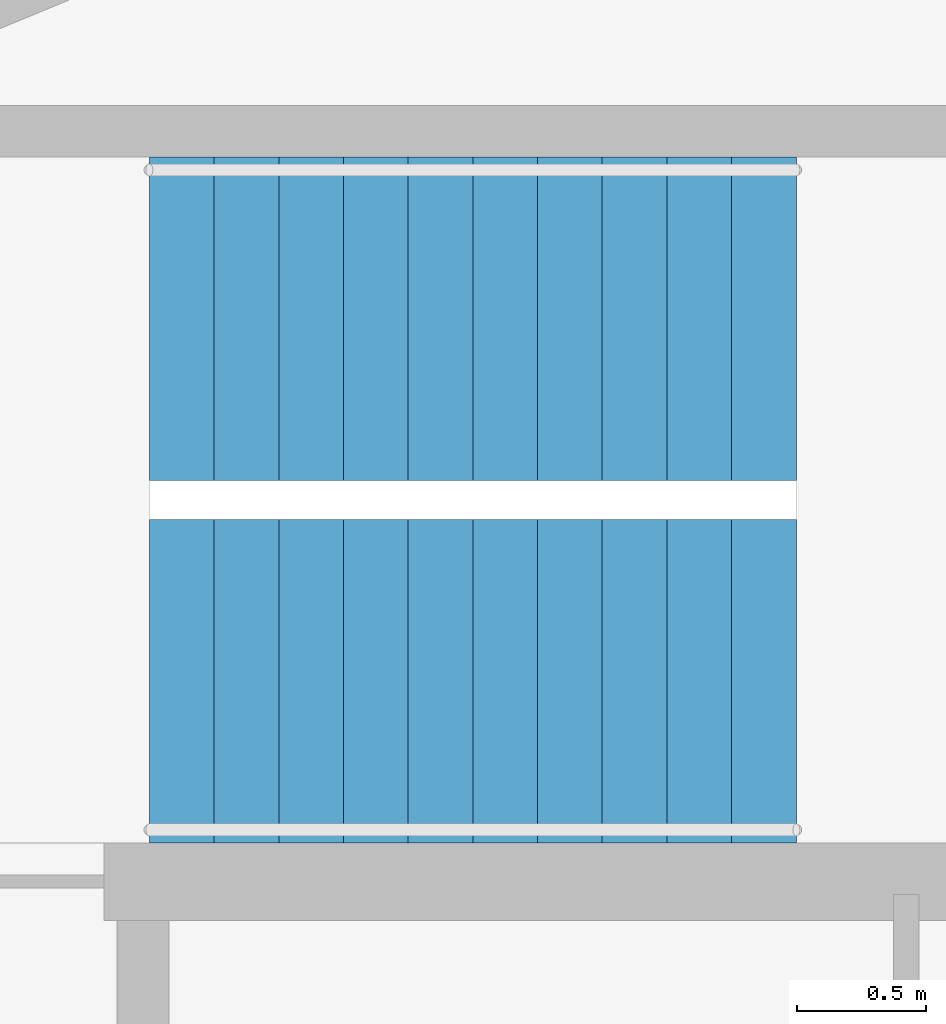
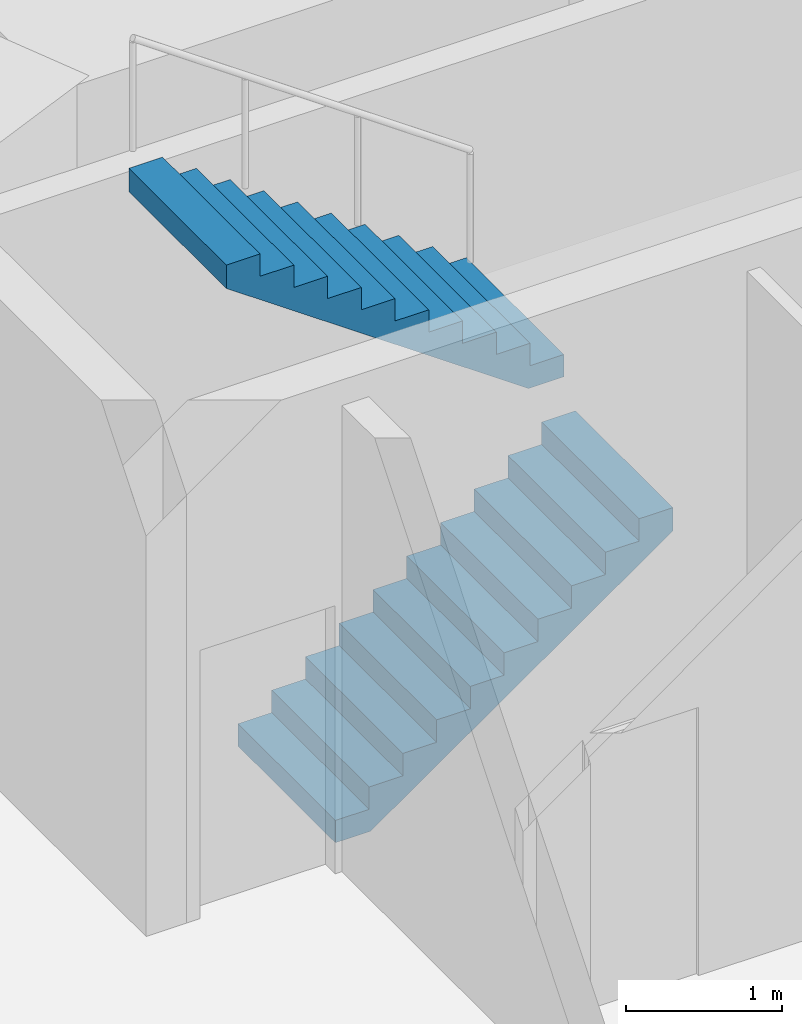
# One storey, part 13 of 15: 2 stair flights, 1 element without a shape of its own.
"""IFC4 building model written with IfcOpenShell, lengths in metres."""

from ifc_helpers import new_model, si_unit, direction, frame, origin, place, context, subcontext, project, spatial, polyline, outline, extrude, material, type_object, element, aggregate, save


model = new_model("IFC4")

# Units and contexts
model_context = context("Model", 3, precision=1e-05, world=origin(), true_north=direction((0.0, 1.0)))
body_context = subcontext(model_context, "Body", "Model", "MODEL_VIEW")
ifc_project = project(units=[si_unit("LENGTHUNIT", "METRE"), si_unit("AREAUNIT", "SQUARE_METRE"), si_unit("VOLUMEUNIT", "CUBIC_METRE"), si_unit("PLANEANGLEUNIT", "RADIAN"), si_unit("MASSUNIT", "GRAM", prefix="KILO")], contexts=[model_context])

# Site, building, storey
site_placement = place(None, origin())
site = spatial("IfcSite", under=ifc_project, at=site_placement, CompositionType="ELEMENT")
building_placement = place(site_placement, origin())
building = spatial("IfcBuilding", under=site, at=building_placement, Name="Nakasero Lantern House", CompositionType="ELEMENT")
storey_placement = place(building_placement, frame((0.0, 0.0, 72.050048828125)))
storey = spatial("IfcBuildingStorey", under=building, at=storey_placement, Name="L17", CompositionType="ELEMENT", Elevation=72.050048828125)

# Stair, stair flights
ifc_material_1 = material(Name="Concrete C40/50", Category="concrete")
stair_type = type_object("IfcStairType", Name="Escape stair ST1 22 risers", PredefinedType="HALF_TURN_STAIR", material=ifc_material_1)
stair_placement = place(storey_placement, origin())
stair = element("IfcStair", 1, at=stair_placement, inside=storey, type_object=stair_type, Name="Escape stair ST1 L17", PredefinedType="HALF_TURN_STAIR")
ifc_material_2 = material(Name="Concrete C40/50", Category="concrete")
stair_flight_type = type_object("IfcStairFlightType", Name="Escape stair flight", PredefinedType="STRAIGHT", material=ifc_material_2)
stair_flight_1_placement = place(storey_placement, frame((-1.875, 6.375, 0.0), z_axis=(0.0, 0.0, 1.0), x_axis=(1.0, 0.0, 0.0)))
stair_flight_1 = element("IfcStairFlight", 2, at=stair_flight_1_placement, type_object=stair_flight_type, Name="ST1 flight 1", NumberOfRisers=11, NumberOfTreads=10, PredefinedType="STRAIGHT", RiserHeight=0.175, TreadLength=0.25, context=body_context, shape_type="SweptSolid", body=[
    extrude(outline(polyline([(0.0, 0.0), (0.0, 0.175048828125), (0.25, 0.175048828125), (0.25, 0.35009765625), (0.5, 0.35009765625), (0.5, 0.52490234375), (0.75, 0.52490234375), (0.75, 0.699951171875), (1.0, 0.699951171875), (1.0, 0.875), (1.25, 0.875), (1.25, 1.050048828125), (1.5, 1.050048828125), (1.5, 1.22509765625), (1.75, 1.22509765625), (1.75, 1.39990234375), (2.0, 1.39990234375), (2.0, 1.574951171875), (2.25, 1.574951171875), (2.25, 1.75), (2.5, 1.75), (2.5, 1.925048828125), (2.5, 1.567138671875), (0.261474609375, 0.0), (0.0, 0.0)])), frame((0.0, 0.625, 0.0), z_axis=(0.0, -1.0, 0.0), x_axis=(1.0, 0.0, 0.0)), (0.0, 0.0, 1.0), 1.25),
])
stair_flight_2_placement = place(storey_placement, frame((0.625, 7.77490234375, 1.925048828125), z_axis=(0.0, 0.0, 1.0), x_axis=(-1.0, 0.0, 0.0)))
stair_flight_2 = element("IfcStairFlight", 3, at=stair_flight_2_placement, type_object=stair_flight_type, Name="ST1 flight 2", NumberOfRisers=11, NumberOfTreads=10, PredefinedType="STRAIGHT", RiserHeight=0.175, TreadLength=0.25, context=body_context, shape_type="SweptSolid", body=[
    extrude(outline(polyline([(0.0, 0.0), (0.0, 0.175048828125), (0.25, 0.175048828125), (0.25, 0.35009765625), (0.5, 0.35009765625), (0.5, 0.52490234375), (0.75, 0.52490234375), (0.75, 0.699951171875), (1.0, 0.699951171875), (1.0, 0.875), (1.25, 0.875), (1.25, 1.050048828125), (1.5, 1.050048828125), (1.5, 1.22509765625), (1.75, 1.22509765625), (1.75, 1.39990234375), (2.0, 1.39990234375), (2.0, 1.574951171875), (2.25, 1.574951171875), (2.25, 1.75), (2.5, 1.75), (2.5, 1.925048828125), (2.5, 1.567138671875), (0.261474609375, 0.0), (0.0, 0.0)])), frame((0.0, 0.625, 0.0), z_axis=(0.0, -1.0, 0.0), x_axis=(1.0, 0.0, 0.0)), (0.0, 0.0, 1.0), 1.25),
])
aggregate(stair, [stair_flight_1, stair_flight_2])

save(model, "model.ifc")
